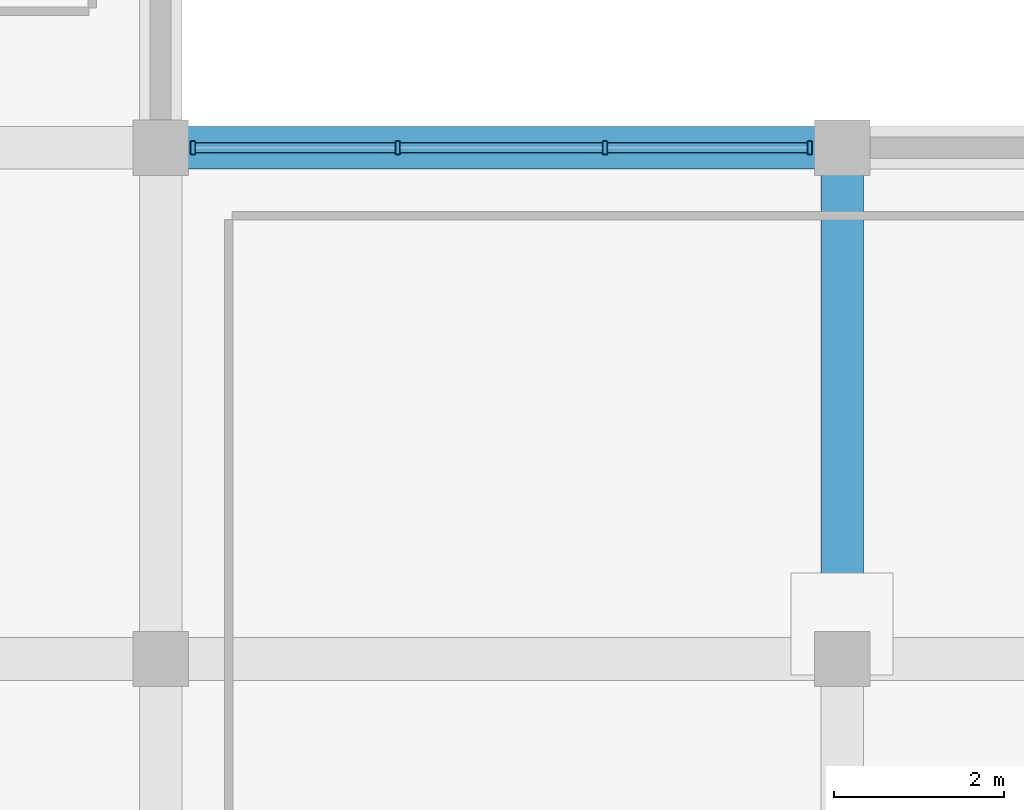
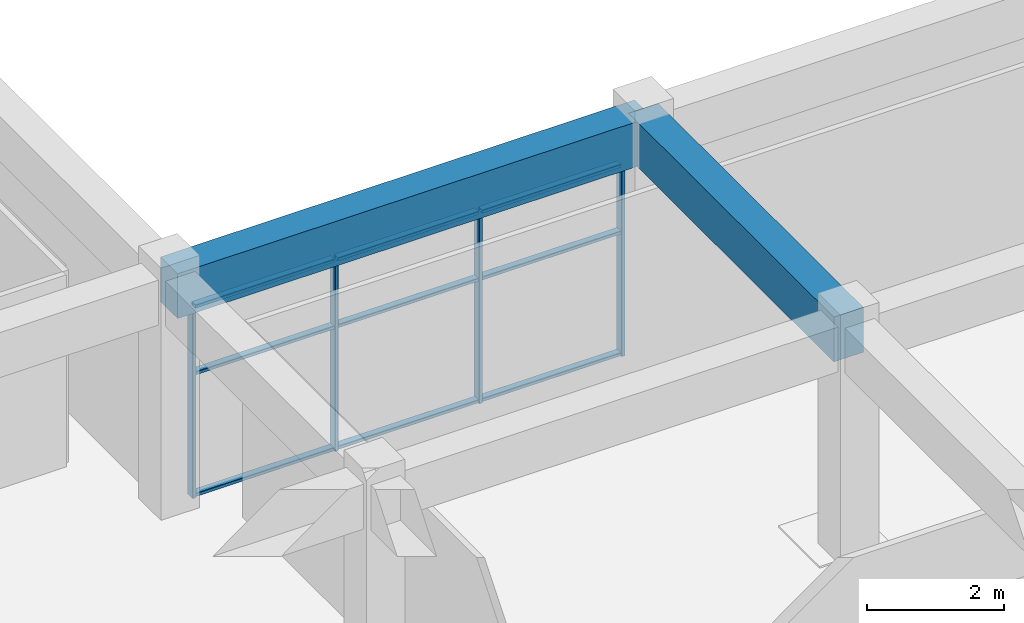
# One storey, part 10 of 52: 13 members, 2 beams, 1 element without a shape of its own.
"""IFC4 building model written with IfcOpenShell, lengths in metres."""

from ifc_helpers import new_model, si_unit, direction, frame, origin, origin_2d, place, context, subcontext, project, spatial, rectangle, hollow_rectangle, extrude, material, layer, layer_set, material_profile, profile_set, type_object, element, aggregate, save


model = new_model("IFC4")

# Units and contexts
model_context = context("Model", 3, precision=1e-05, world=origin(), true_north=direction((0.0, 1.0)))
body_context = subcontext(model_context, "Body", "Model", "MODEL_VIEW")
ifc_project = project(units=[si_unit("LENGTHUNIT", "METRE"), si_unit("AREAUNIT", "SQUARE_METRE"), si_unit("VOLUMEUNIT", "CUBIC_METRE"), si_unit("PLANEANGLEUNIT", "RADIAN"), si_unit("MASSUNIT", "GRAM", prefix="KILO")], contexts=[model_context])

# Site, building, storey
site_placement = place(None, origin())
site = spatial("IfcSite", under=ifc_project, at=site_placement, CompositionType="ELEMENT")
building_placement = place(site_placement, origin())
building = spatial("IfcBuilding", under=site, at=building_placement, Name="Kelanora Arch Commons", CompositionType="ELEMENT")
storey_placement = place(building_placement, frame((0.0, 0.0, 13.5)))
storey = spatial("IfcBuildingStorey", under=building, at=storey_placement, Name="L03", CompositionType="ELEMENT", Elevation=13.5)

# Beams
ifc_material_1 = material(Name="Concrete C40/50", Category="concrete")
ifc_material_profile_1 = material_profile(ifc_material_1, rectangle(XDim=0.5, YDim=0.800048828125, at=origin_2d()), Name="RCB500x800")
ifc_profile_set_1 = profile_set([ifc_material_profile_1], Name="Concrete C40/50")
beam_type = type_object("IfcBeamType", Name="BM-MKT-RC1", PredefinedType="BEAM", material=ifc_profile_set_1)
beam_1_placement = place(storey_placement, frame((36.0, 26.0, 3.840087890625), z_axis=(1.0, 0.0, 0.0), x_axis=(0.0, 1.0, 0.0)))
element("IfcBeam", 1, at=beam_1_placement, inside=storey, type_object=beam_type, Name="Market/Basement Frame Beam 086 L03", PredefinedType="BEAM", context=body_context, shape_type="SweptSolid", body=[
    extrude(rectangle(XDim=0.5, YDim=0.800048828125, at=origin_2d()), origin(), (0.0, 0.0, 1.0), 8.0),
])
beam_2_placement = place(storey_placement, frame((44.0, 20.0, 3.840087890625), z_axis=(0.0, 1.0, 0.0), x_axis=(-1.0, 0.0, 0.0)))
element("IfcBeam", 2, at=beam_2_placement, inside=storey, type_object=beam_type, Name="Market/Basement Frame Beam 099 L03", PredefinedType="BEAM", context=body_context, shape_type="SweptSolid", body=[
    extrude(rectangle(XDim=0.5, YDim=0.800048828125, at=origin_2d()), origin(), (0.0, 0.0, 1.0), 6.0),
])

# Curtain wall, members
ifc_material_2 = material(Name="Terracotta ceramic-fritted low-E glass and aluminium", Category="masonry")
ifc_layer = layer(ifc_material_2, 0.16796875)
ifc_layer_set = layer_set([ifc_layer], Name="Terracotta ceramic-fritted low-E glass and aluminium")
curtain_wall_type = type_object("IfcCurtainWallType", Name="CW-SYS-07", PredefinedType="NOTDEFINED", material=ifc_layer_set)
curtain_wall_placement = place(storey_placement, origin())
curtain_wall = element("IfcCurtainWall", 3, at=curtain_wall_placement, inside=storey, type_object=curtain_wall_type, Name="Market Hall Arcade Curtain Wall L03-22", PredefinedType="NOTDEFINED")
ifc_material_3 = material(Name="Powder-coated aluminium terracotta", Category="masonry")
ifc_material_profile_2 = material_profile(ifc_material_3, hollow_rectangle(XDim=0.159912109375, YDim=0.06005859375, WallThickness=0.0048828125, InnerFilletRadius=0.0048828125, OuterFilletRadius=0.010009765625, at=origin_2d()), Name="CWM160x60")
ifc_profile_set_2 = profile_set([ifc_material_profile_2], Name="Powder-coated aluminium terracotta")
member_type_1 = type_object("IfcMemberType", Name="CWM-STD", PredefinedType="MULLION", material=ifc_profile_set_2)
member_1_placement = place(storey_placement, frame((43.6201171875, 26.0, 0.0), z_axis=(0.0, 0.0, 1.0), x_axis=(0.0, -1.0, 0.0)))
member_1 = element("IfcMember", 4, at=member_1_placement, type_object=member_type_1, Name="CW-07 mullion 1", PredefinedType="MULLION", context=body_context, shape_type="SweptSolid", body=[
    extrude(hollow_rectangle(XDim=0.159912109375, YDim=0.06005859375, WallThickness=0.0048828125, InnerFilletRadius=0.0048828125, OuterFilletRadius=0.010009765625, at=origin_2d()), origin(), (0.0, 0.0, 1.0), 3.419921875),
])
member_2_placement = place(storey_placement, frame((41.216552734375, 26.0, 0.0), z_axis=(0.0, 0.0, 1.0), x_axis=(0.0, -1.0, 0.0)))
member_2 = element("IfcMember", 5, at=member_2_placement, type_object=member_type_1, Name="CW-07 mullion 2", PredefinedType="MULLION", context=body_context, shape_type="SweptSolid", body=[
    extrude(hollow_rectangle(XDim=0.159912109375, YDim=0.06005859375, WallThickness=0.0048828125, InnerFilletRadius=0.0048828125, OuterFilletRadius=0.010009765625, at=origin_2d()), origin(), (0.0, 0.0, 1.0), 3.419921875),
])
member_3_placement = place(storey_placement, frame((38.783447265625, 26.0, 0.0), z_axis=(0.0, 0.0, 1.0), x_axis=(0.0, -1.0, 0.0)))
member_3 = element("IfcMember", 6, at=member_3_placement, type_object=member_type_1, Name="CW-07 mullion 3", PredefinedType="MULLION", context=body_context, shape_type="SweptSolid", body=[
    extrude(hollow_rectangle(XDim=0.159912109375, YDim=0.06005859375, WallThickness=0.0048828125, InnerFilletRadius=0.0048828125, OuterFilletRadius=0.010009765625, at=origin_2d()), origin(), (0.0, 0.0, 1.0), 3.419921875),
])
member_4_placement = place(storey_placement, frame((36.3798828125, 26.0, 0.0), z_axis=(0.0, 0.0, 1.0), x_axis=(0.0, -1.0, 0.0)))
member_4 = element("IfcMember", 7, at=member_4_placement, type_object=member_type_1, Name="CW-07 mullion 4", PredefinedType="MULLION", context=body_context, shape_type="SweptSolid", body=[
    extrude(hollow_rectangle(XDim=0.159912109375, YDim=0.06005859375, WallThickness=0.0048828125, InnerFilletRadius=0.0048828125, OuterFilletRadius=0.010009765625, at=origin_2d()), origin(), (0.0, 0.0, 1.0), 3.419921875),
])
ifc_material_profile_3 = material_profile(ifc_material_3, hollow_rectangle(XDim=0.1201171875, YDim=0.06005859375, WallThickness=0.0048828125, InnerFilletRadius=0.0048828125, OuterFilletRadius=0.010009765625, at=origin_2d()), Name="CWT120x60")
ifc_profile_set_3 = profile_set([ifc_material_profile_3], Name="Powder-coated aluminium terracotta")
member_type_2 = type_object("IfcMemberType", Name="CWT-STD", PredefinedType="USERDEFINED", material=ifc_profile_set_3)
member_5_placement = place(storey_placement, frame((43.590087890625, 26.0, 0.030029296875), z_axis=(-1.0, 0.0, 0.0), x_axis=(0.0, -1.0, 0.0)))
member_5 = element("IfcMember", 8, at=member_5_placement, type_object=member_type_2, Name="CW-07 transom 1.1", ObjectType="TRANSOM", PredefinedType="USERDEFINED", context=body_context, shape_type="SweptSolid", body=[
    extrude(hollow_rectangle(XDim=0.1201171875, YDim=0.06005859375, WallThickness=0.0048828125, InnerFilletRadius=0.0048828125, OuterFilletRadius=0.010009765625, at=origin_2d()), origin(), (0.0, 0.0, 1.0), 2.343505859375),
])
member_6_placement = place(storey_placement, frame((43.590087890625, 26.0, 2.199951171875), z_axis=(-1.0, 0.0, 0.0), x_axis=(0.0, -1.0, 0.0)))
member_6 = element("IfcMember", 9, at=member_6_placement, type_object=member_type_2, Name="CW-07 transom 1.2", ObjectType="TRANSOM", PredefinedType="USERDEFINED", context=body_context, shape_type="SweptSolid", body=[
    extrude(hollow_rectangle(XDim=0.1201171875, YDim=0.06005859375, WallThickness=0.0048828125, InnerFilletRadius=0.0048828125, OuterFilletRadius=0.010009765625, at=origin_2d()), origin(), (0.0, 0.0, 1.0), 2.343505859375),
])
member_7_placement = place(storey_placement, frame((43.590087890625, 26.0, 3.389892578125), z_axis=(-1.0, 0.0, 0.0), x_axis=(0.0, -1.0, 0.0)))
member_7 = element("IfcMember", 10, at=member_7_placement, type_object=member_type_2, Name="CW-07 transom 1.3", ObjectType="TRANSOM", PredefinedType="USERDEFINED", context=body_context, shape_type="SweptSolid", body=[
    extrude(hollow_rectangle(XDim=0.1201171875, YDim=0.06005859375, WallThickness=0.0048828125, InnerFilletRadius=0.0048828125, OuterFilletRadius=0.010009765625, at=origin_2d()), origin(), (0.0, 0.0, 1.0), 2.343505859375),
])
member_8_placement = place(storey_placement, frame((41.186767578125, 26.0, 0.030029296875), z_axis=(-1.0, 0.0, 0.0), x_axis=(0.0, -1.0, 0.0)))
member_8 = element("IfcMember", 11, at=member_8_placement, type_object=member_type_2, Name="CW-07 transom 2.1", ObjectType="TRANSOM", PredefinedType="USERDEFINED", context=body_context, shape_type="SweptSolid", body=[
    extrude(hollow_rectangle(XDim=0.1201171875, YDim=0.06005859375, WallThickness=0.0048828125, InnerFilletRadius=0.0048828125, OuterFilletRadius=0.010009765625, at=origin_2d()), origin(), (0.0, 0.0, 1.0), 2.37353515625),
])
member_9_placement = place(storey_placement, frame((41.186767578125, 26.0, 2.199951171875), z_axis=(-1.0, 0.0, 0.0), x_axis=(0.0, -1.0, 0.0)))
member_9 = element("IfcMember", 12, at=member_9_placement, type_object=member_type_2, Name="CW-07 transom 2.2", ObjectType="TRANSOM", PredefinedType="USERDEFINED", context=body_context, shape_type="SweptSolid", body=[
    extrude(hollow_rectangle(XDim=0.1201171875, YDim=0.06005859375, WallThickness=0.0048828125, InnerFilletRadius=0.0048828125, OuterFilletRadius=0.010009765625, at=origin_2d()), origin(), (0.0, 0.0, 1.0), 2.37353515625),
])
member_10_placement = place(storey_placement, frame((41.186767578125, 26.0, 3.389892578125), z_axis=(-1.0, 0.0, 0.0), x_axis=(0.0, -1.0, 0.0)))
member_10 = element("IfcMember", 13, at=member_10_placement, type_object=member_type_2, Name="CW-07 transom 2.3", ObjectType="TRANSOM", PredefinedType="USERDEFINED", context=body_context, shape_type="SweptSolid", body=[
    extrude(hollow_rectangle(XDim=0.1201171875, YDim=0.06005859375, WallThickness=0.0048828125, InnerFilletRadius=0.0048828125, OuterFilletRadius=0.010009765625, at=origin_2d()), origin(), (0.0, 0.0, 1.0), 2.37353515625),
])
member_11_placement = place(storey_placement, frame((38.75341796875, 26.0, 0.030029296875), z_axis=(-1.0, 0.0, 0.0), x_axis=(0.0, -1.0, 0.0)))
member_11 = element("IfcMember", 14, at=member_11_placement, type_object=member_type_2, Name="CW-07 transom 3.1", ObjectType="TRANSOM", PredefinedType="USERDEFINED", context=body_context, shape_type="SweptSolid", body=[
    extrude(hollow_rectangle(XDim=0.1201171875, YDim=0.06005859375, WallThickness=0.0048828125, InnerFilletRadius=0.0048828125, OuterFilletRadius=0.010009765625, at=origin_2d()), origin(), (0.0, 0.0, 1.0), 2.343505859375),
])
member_12_placement = place(storey_placement, frame((38.75341796875, 26.0, 2.199951171875), z_axis=(-1.0, 0.0, 0.0), x_axis=(0.0, -1.0, 0.0)))
member_12 = element("IfcMember", 15, at=member_12_placement, type_object=member_type_2, Name="CW-07 transom 3.2", ObjectType="TRANSOM", PredefinedType="USERDEFINED", context=body_context, shape_type="SweptSolid", body=[
    extrude(hollow_rectangle(XDim=0.1201171875, YDim=0.06005859375, WallThickness=0.0048828125, InnerFilletRadius=0.0048828125, OuterFilletRadius=0.010009765625, at=origin_2d()), origin(), (0.0, 0.0, 1.0), 2.343505859375),
])
member_13_placement = place(storey_placement, frame((38.75341796875, 26.0, 3.389892578125), z_axis=(-1.0, 0.0, 0.0), x_axis=(0.0, -1.0, 0.0)))
member_13 = element("IfcMember", 16, at=member_13_placement, type_object=member_type_2, Name="CW-07 transom 3.3", ObjectType="TRANSOM", PredefinedType="USERDEFINED", context=body_context, shape_type="SweptSolid", body=[
    extrude(hollow_rectangle(XDim=0.1201171875, YDim=0.06005859375, WallThickness=0.0048828125, InnerFilletRadius=0.0048828125, OuterFilletRadius=0.010009765625, at=origin_2d()), origin(), (0.0, 0.0, 1.0), 2.343505859375),
])
aggregate(curtain_wall, [member_1, member_2, member_3, member_4, member_5, member_6, member_7, member_8, member_9, member_10, member_11, member_12, member_13])

save(model, "model.ifc")
